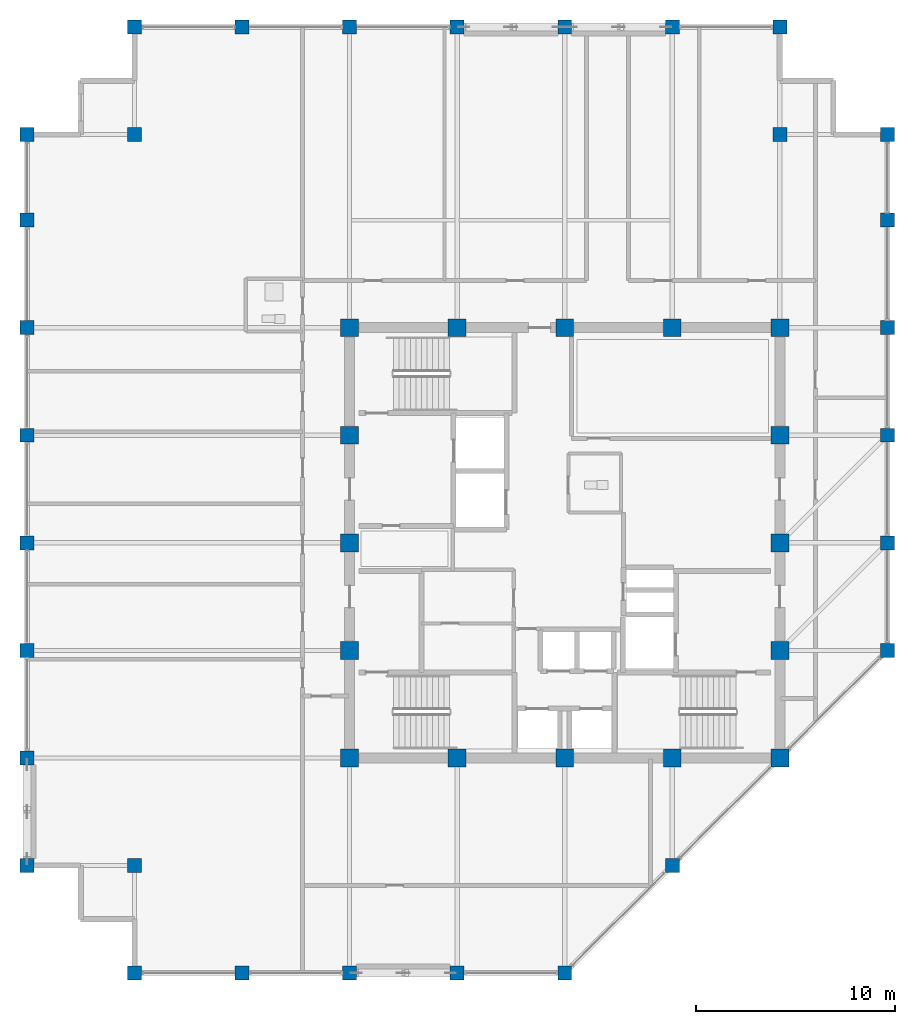
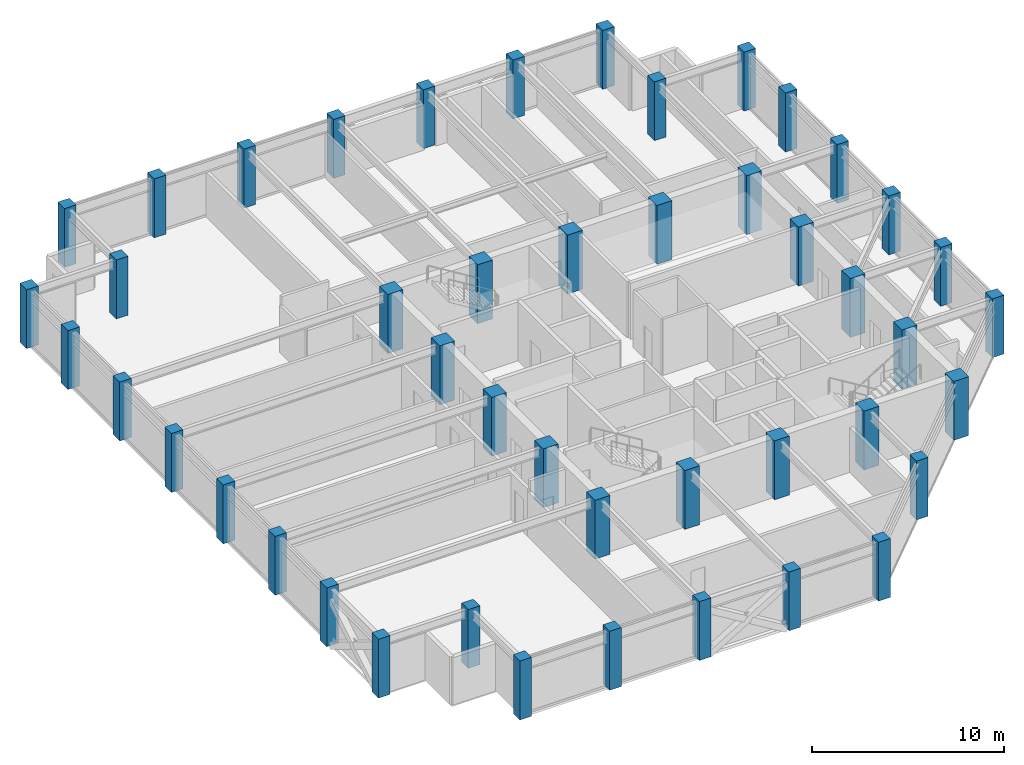
# One storey, part 1 of 30: 46 columns.
"""IFC4 building model written with IfcOpenShell, lengths in metres."""

from ifc_helpers import new_model, si_unit, direction, frame, origin, origin_2d, place, context, subcontext, project, spatial, rectangle, extrude, material, material_profile, profile_set, type_object, element, save


model = new_model("IFC4")

# Units and contexts
model_context = context("Model", 3, precision=1e-05, world=origin(), true_north=direction((0.0, 1.0)))
body_context = subcontext(model_context, "Body", "Model", "MODEL_VIEW")
ifc_project = project(units=[si_unit("LENGTHUNIT", "METRE"), si_unit("AREAUNIT", "SQUARE_METRE"), si_unit("VOLUMEUNIT", "CUBIC_METRE"), si_unit("PLANEANGLEUNIT", "RADIAN"), si_unit("MASSUNIT", "GRAM", prefix="KILO")], contexts=[model_context])

# Site, building, storey
site_placement = place(None, origin())
site = spatial("IfcSite", under=ifc_project, at=site_placement, CompositionType="ELEMENT")
building_placement = place(site_placement, origin())
building = spatial("IfcBuilding", under=site, at=building_placement, Name="Surkhivell Harbour Commons", CompositionType="ELEMENT")
storey_placement = place(building_placement, frame((0.0, 0.0, 296.25)))
storey = spatial("IfcBuildingStorey", under=building, at=storey_placement, Name="L77", CompositionType="ELEMENT", Elevation=296.25)

# Columns
ifc_material_1 = material(Name="Concrete C60/75", Category="concrete")
ifc_material_profile_1 = material_profile(ifc_material_1, rectangle(XDim=0.89990234375, YDim=0.89990234375, at=origin_2d()), Name="RC-COL-900x900")
ifc_profile_set_1 = profile_set([ifc_material_profile_1], Name="Concrete C60/75")
column_type_1 = type_object("IfcColumnType", Name="COL-TUBE-Z3A", PredefinedType="COLUMN", material=ifc_profile_set_1)
for number, where, z_axis, x_axis, name in (
    (1, (-10.800048828125, -10.800048828125, 0.0), (0.0, 0.0, 1.0), (1.0, 0.0, 0.0), "L77 Column CT-3A (-10.8,-10.8)"),
    (2, (-10.800048828125, -5.39990234375, 0.0), (0.0, 0.0, 1.0), (1.0, 0.0, 0.0), "L77 Column CT-3A (-10.8,-5.4)"),
    (3, (-10.800048828125, 0.0, 0.0), (0.0, 0.0, 1.0), (1.0, 0.0, 0.0), "L77 Column CT-3A (-10.8,0.0)"),
    (4, (-10.800048828125, 5.39990234375, 0.0), (0.0, 0.0, 1.0), (1.0, 0.0, 0.0), "L77 Column CT-3A (-10.8,5.4)"),
    (5, (-10.800048828125, 10.800048828125, 0.0), (0.0, 0.0, 1.0), (1.0, 0.0, 0.0), "L77 Column CT-3A (-10.8,10.8)"),
    (6, (-5.39990234375, -10.800048828125, 0.0), (0.0, 0.0, 1.0), (1.0, 0.0, 0.0), "L77 Column CT-3A (-5.4,-10.8)"),
    (7, (-5.39990234375, 10.800048828125, 0.0), (0.0, 0.0, 1.0), (1.0, 0.0, 0.0), "L77 Column CT-3A (-5.4,10.8)"),
    (8, (0.0, -10.800048828125, 0.0), (0.0, 0.0, 1.0), (1.0, 0.0, 0.0), "L77 Column CT-3A (0.0,-10.8)"),
    (9, (0.0, 10.800048828125, 0.0), (0.0, 0.0, 1.0), (1.0, 0.0, 0.0), "L77 Column CT-3A (0.0,10.8)"),
    (10, (5.39990234375, -10.800048828125, 0.0), (0.0, 0.0, 1.0), (1.0, 0.0, 0.0), "L77 Column CT-3A (5.4,-10.8)"),
    (11, (5.39990234375, 10.800048828125, 0.0), (0.0, 0.0, 1.0), (1.0, 0.0, 0.0), "L77 Column CT-3A (5.4,10.8)"),
    (12, (10.800048828125, -10.800048828125, 0.0), (0.0, 0.0, 1.0), (1.0, 0.0, 0.0), "L77 Column CT-3A (10.8,-10.8)"),
    (13, (10.800048828125, -5.39990234375, 0.0), (0.0, 0.0, 1.0), (1.0, 0.0, 0.0), "L77 Column CT-3A (10.8,-5.4)"),
    (14, (10.800048828125, 0.0, 0.0), (0.0, 0.0, 1.0), (1.0, 0.0, 0.0), "L77 Column CT-3A (10.8,0.0)"),
    (15, (10.800048828125, 5.39990234375, 0.0), (0.0, 0.0, 1.0), (1.0, 0.0, 0.0), "L77 Column CT-3A (10.8,5.4)"),
    (16, (10.800048828125, 10.800048828125, 0.0), (0.0, 0.0, 1.0), (1.0, 0.0, 0.0), "L77 Column CT-3A (10.8,10.8)"),
):
    element("IfcColumn", number, at=place(storey_placement, frame(where, z_axis=z_axis, x_axis=x_axis)), inside=storey, type_object=column_type_1, Name=name, PredefinedType="COLUMN", context=body_context, shape_type="SweptSolid", body=[
        extrude(rectangle(XDim=0.89990234375, YDim=0.89990234375, at=origin_2d()), origin(), (0.0, 0.0, 1.0), 3.75),
    ])
ifc_material_2 = material(Name="Concrete C50/60", Category="concrete")
ifc_material_profile_2 = material_profile(ifc_material_2, rectangle(XDim=0.699951171875, YDim=0.699951171875, at=origin_2d()), Name="RC-COL-700x700")
ifc_profile_set_2 = profile_set([ifc_material_profile_2], Name="Concrete C50/60")
column_type_2 = type_object("IfcColumnType", Name="COL-TUBE-Z4", PredefinedType="COLUMN", material=ifc_profile_set_2)
for number, where, z_axis, x_axis, name in (
    (17, (-27.0, -16.199951171875, 0.0), (0.0, 0.0, 1.0), (1.0, 0.0, 0.0), "L77 Column CT-4 (-27.0,-16.2)"),
    (18, (-27.0, -10.800048828125, 0.0), (0.0, 0.0, 1.0), (1.0, 0.0, 0.0), "L77 Column CT-4 (-27.0,-10.8)"),
    (19, (-27.0, -5.39990234375, 0.0), (0.0, 0.0, 1.0), (1.0, 0.0, 0.0), "L77 Column CT-4 (-27.0,-5.4)"),
    (20, (-27.0, 0.0, 0.0), (0.0, 0.0, 1.0), (1.0, 0.0, 0.0), "L77 Column CT-4 (-27.0,0.0)"),
    (21, (-27.0, 5.39990234375, 0.0), (0.0, 0.0, 1.0), (1.0, 0.0, 0.0), "L77 Column CT-4 (-27.0,5.4)"),
    (22, (-27.0, 10.800048828125, 0.0), (0.0, 0.0, 1.0), (1.0, 0.0, 0.0), "L77 Column CT-4 (-27.0,10.8)"),
    (23, (-27.0, 16.199951171875, 0.0), (0.0, 0.0, 1.0), (1.0, 0.0, 0.0), "L77 Column CT-4 (-27.0,16.2)"),
    (24, (-27.0, 20.5, 0.0), (0.0, 0.0, 1.0), (1.0, 0.0, 0.0), "L77 Column CT-4 (-27.0,20.5)"),
    (25, (-21.60009765625, -21.60009765625, 0.0), (0.0, 0.0, 1.0), (1.0, 0.0, 0.0), "L77 Column CT-4 (-21.6,-21.6)"),
    (26, (-21.60009765625, -16.199951171875, 0.0), (0.0, 0.0, 1.0), (1.0, 0.0, 0.0), "L77 Column CT-4 (-21.6,-16.2)"),
    (27, (-21.60009765625, 20.5, 0.0), (0.0, 0.0, 1.0), (1.0, 0.0, 0.0), "L77 Column CT-4 (-21.6,20.5)"),
    (28, (-21.60009765625, 25.89990234375, 0.0), (0.0, 0.0, 1.0), (1.0, 0.0, 0.0), "L77 Column CT-4 (-21.6,25.9)"),
    (29, (-16.199951171875, -21.60009765625, 0.0), (0.0, 0.0, 1.0), (1.0, 0.0, 0.0), "L77 Column CT-4 (-16.2,-21.6)"),
    (30, (-16.199951171875, 25.89990234375, 0.0), (0.0, 0.0, 1.0), (1.0, 0.0, 0.0), "L77 Column CT-4 (-16.2,25.9)"),
    (31, (-10.800048828125, -21.60009765625, 0.0), (0.0, 0.0, 1.0), (1.0, 0.0, 0.0), "L77 Column CT-4 (-10.8,-21.6)"),
    (32, (-10.800048828125, 25.89990234375, 0.0), (0.0, 0.0, 1.0), (1.0, 0.0, 0.0), "L77 Column CT-4 (-10.8,25.9)"),
    (33, (-5.39990234375, -21.60009765625, 0.0), (0.0, 0.0, 1.0), (1.0, 0.0, 0.0), "L77 Column CT-4 (-5.4,-21.6)"),
    (34, (-5.39990234375, 25.89990234375, 0.0), (0.0, 0.0, 1.0), (1.0, 0.0, 0.0), "L77 Column CT-4 (-5.4,25.9)"),
    (35, (0.0, -21.60009765625, 0.0), (0.0, 0.0, 1.0), (1.0, 0.0, 0.0), "L77 Column CT-4 (-0.0,-21.6)"),
    (36, (0.0, 25.89990234375, 0.0), (0.0, 0.0, 1.0), (1.0, 0.0, 0.0), "L77 Column CT-4 (-0.0,25.9)"),
    (37, (5.39990234375, -16.199951171875, 0.0), (0.0, 0.0, 1.0), (1.0, 0.0, 0.0), "L77 Column CT-4 (5.4,-16.2)"),
    (38, (5.39990234375, 25.89990234375, 0.0), (0.0, 0.0, 1.0), (1.0, 0.0, 0.0), "L77 Column CT-4 (5.4,25.9)"),
    (39, (10.800048828125, 20.5, 0.0), (0.0, 0.0, 1.0), (1.0, 0.0, 0.0), "L77 Column CT-4 (10.8,20.5)"),
    (40, (10.800048828125, 25.89990234375, 0.0), (0.0, 0.0, 1.0), (1.0, 0.0, 0.0), "L77 Column CT-4 (10.8,25.9)"),
    (41, (16.199951171875, -5.39990234375, 0.0), (0.0, 0.0, 1.0), (1.0, 0.0, 0.0), "L77 Column CT-4 (16.2,-5.4)"),
    (42, (16.199951171875, 0.0, 0.0), (0.0, 0.0, 1.0), (1.0, 0.0, 0.0), "L77 Column CT-4 (16.2,0.0)"),
    (43, (16.199951171875, 5.39990234375, 0.0), (0.0, 0.0, 1.0), (1.0, 0.0, 0.0), "L77 Column CT-4 (16.2,5.4)"),
    (44, (16.199951171875, 10.800048828125, 0.0), (0.0, 0.0, 1.0), (1.0, 0.0, 0.0), "L77 Column CT-4 (16.2,10.8)"),
    (45, (16.199951171875, 16.199951171875, 0.0), (0.0, 0.0, 1.0), (1.0, 0.0, 0.0), "L77 Column CT-4 (16.2,16.2)"),
    (46, (16.199951171875, 20.5, 0.0), (0.0, 0.0, 1.0), (1.0, 0.0, 0.0), "L77 Column CT-4 (16.2,20.5)"),
):
    element("IfcColumn", number, at=place(storey_placement, frame(where, z_axis=z_axis, x_axis=x_axis)), inside=storey, type_object=column_type_2, Name=name, PredefinedType="COLUMN", context=body_context, shape_type="SweptSolid", body=[
        extrude(rectangle(XDim=0.699951171875, YDim=0.699951171875, at=origin_2d()), origin(), (0.0, 0.0, 1.0), 3.75),
    ])

save(model, "model.ifc")
